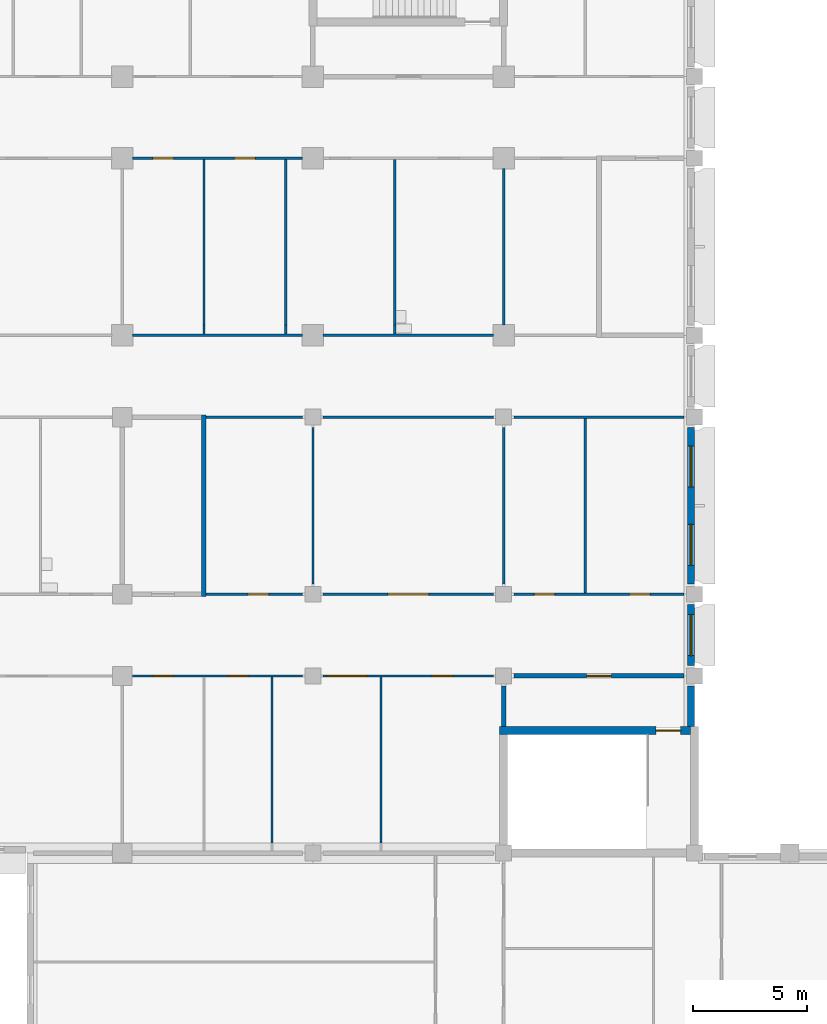
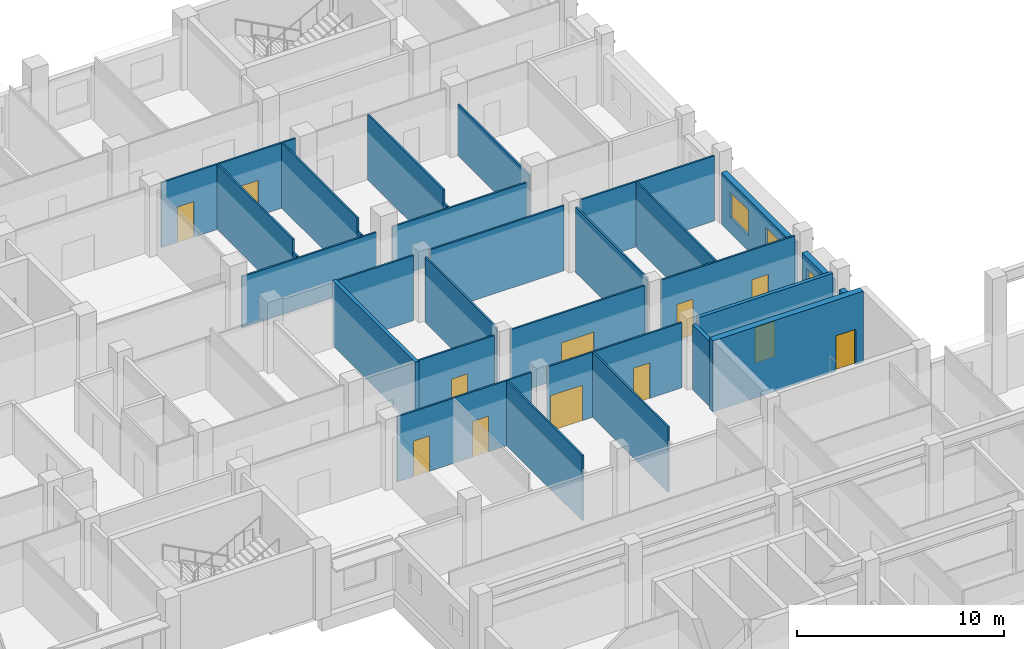
# One storey, part 71 of 109: 30 walls, 12 doors, 3 windows, 15 openings.
"""IFC4 building model written with IfcOpenShell, lengths in metres."""

from ifc_helpers import new_model, si_unit, direction, frame, frame_2d, origin, place, context, subcontext, project, spatial, rectangle, extrude, material, layer, layer_set, type_object, element, fill, save


model = new_model("IFC4")

# Units and contexts
model_context = context("Model", 3, precision=1e-05, world=origin(), true_north=direction((0.0, 1.0)))
body_context = subcontext(model_context, "Body", "Model", "MODEL_VIEW")
ifc_project = project(units=[si_unit("LENGTHUNIT", "METRE"), si_unit("AREAUNIT", "SQUARE_METRE"), si_unit("VOLUMEUNIT", "CUBIC_METRE"), si_unit("PLANEANGLEUNIT", "RADIAN"), si_unit("MASSUNIT", "GRAM", prefix="KILO")], contexts=[model_context])

# Site, building, storey
site_placement = place(None, origin())
site = spatial("IfcSite", under=ifc_project, at=site_placement, CompositionType="ELEMENT")
building_placement = place(site_placement, origin())
building = spatial("IfcBuilding", under=site, at=building_placement, Name="Bougainvillea Quay General Hospital", CompositionType="ELEMENT")
storey_placement = place(building_placement, frame((0.0, 0.0, 12.60009765625)))
storey = spatial("IfcBuildingStorey", under=building, at=storey_placement, Name="L02", CompositionType="ELEMENT", Elevation=12.60009765625)

# Wall, opening, window
ifc_material_1 = material(Name="Pale stone rainscreen cladding on insulated masonry backing, pale stone", Category="masonry")
ifc_layer_1 = layer(ifc_material_1, 0.300048828125)
ifc_layer_set_1 = layer_set([ifc_layer_1], Name="Pale stone rainscreen cladding on insulated masonry backing, pale stone")
wall_type_1 = type_object("IfcWallType", Name="External wall pale stone rainscreen 300", PredefinedType="STANDARD", material=ifc_layer_set_1)
wall_1_placement = place(storey_placement, frame((193.050048828125, 125.85009765625, 0.0), z_axis=(0.0, 0.0, 1.0), x_axis=(0.0, 1.0, 0.0)))
wall_1 = element("IfcWall", 1, at=wall_1_placement, inside=storey, type_object=wall_type_1, Name="External wall wall/V4/L02/p0/00b", PredefinedType="STANDARD", context=body_context, shape_type="SweptSolid", body=[
    extrude(rectangle(XDim=2.699951171875, YDim=0.300048828125, at=frame_2d((1.35009765625, 0.0))), origin(), (0.0, 0.0, 1.0), 3.0498046875),
])
opening_1_placement = place(wall_1_placement, frame((0.449951171875, 0.0, 0.89990234375)))
opening_1 = element("IfcOpeningElement", 2, at=opening_1_placement, cuts=wall_1, Name="Opening W1", PredefinedType="OPENING", context=body_context, shape_type="SweptSolid", body=[
    extrude(rectangle(XDim=1.800048828125, YDim=1.5, at=frame_2d((0.89990234375, 0.75))), frame((0.0, 0.159912109375, 0.0), z_axis=(0.0, -1.0, 0.0), x_axis=(1.0, 0.0, 0.0)), (0.0, 0.0, 1.0), 0.320068359375),
])
ifc_material_2 = material(Name="Aluminium window frame with low-e double glazed unit", Category="aluminium")
window_type = type_object("IfcWindowType", Name="Window W1 1800x1500", PartitioningType="DOUBLE_PANEL_VERTICAL", PredefinedType="WINDOW", material=ifc_material_2)
window_1_placement = place(opening_1_placement, origin())
window_1 = element("IfcWindow", 3, at=window_1_placement, inside=storey, type_object=window_type, Name="Window W1 1", OverallHeight=1.5, OverallWidth=1.800048828125, PartitioningType="SINGLE_PANEL", PredefinedType="WINDOW", context=body_context, shape_type="SweptSolid", body=[
    extrude(rectangle(XDim=1.800048828125, YDim=1.5, at=frame_2d((0.89990234375, 0.75))), frame((0.0, 0.030029296875, 0.0), z_axis=(0.0, -1.0, 0.0), x_axis=(1.0, 0.0, 0.0)), (0.0, 0.0, 1.0), 0.06005859375),
])
fill(opening_1, window_1)

# Wall, openings, windows
wall_2_placement = place(storey_placement, frame((193.050048828125, 129.449951171875, 0.0), z_axis=(0.0, 0.0, 1.0), x_axis=(0.0, 1.0, 0.0)))
wall_2 = element("IfcWall", 4, at=wall_2_placement, inside=storey, type_object=wall_type_1, Name="External wall wall/V4/L02/p0/00c", PredefinedType="STANDARD", context=body_context, shape_type="SweptSolid", body=[
    extrude(rectangle(XDim=6.900146484375, YDim=0.300048828125, at=frame_2d((3.4501953125, 0.0))), origin(), (0.0, 0.0, 1.0), 3.0498046875),
])
opening_2_placement = place(wall_2_placement, frame((0.824951171875, 0.0, 0.89990234375)))
opening_2 = element("IfcOpeningElement", 5, at=opening_2_placement, cuts=wall_2, Name="Opening W1", PredefinedType="OPENING", context=body_context, shape_type="SweptSolid", body=[
    extrude(rectangle(XDim=1.800048828125, YDim=1.5, at=frame_2d((0.89990234375, 0.75))), frame((0.0, 0.159912109375, 0.0), z_axis=(0.0, -1.0, 0.0), x_axis=(1.0, 0.0, 0.0)), (0.0, 0.0, 1.0), 0.320068359375),
])
opening_3_placement = place(wall_2_placement, frame((4.27490234375, 0.0, 0.89990234375)))
opening_3 = element("IfcOpeningElement", 6, at=opening_3_placement, cuts=wall_2, Name="Opening W1", PredefinedType="OPENING", context=body_context, shape_type="SweptSolid", body=[
    extrude(rectangle(XDim=1.800048828125, YDim=1.5, at=frame_2d((0.89990234375, 0.75))), frame((0.0, 0.159912109375, 0.0), z_axis=(0.0, -1.0, 0.0), x_axis=(1.0, 0.0, 0.0)), (0.0, 0.0, 1.0), 0.320068359375),
])
window_2_placement = place(opening_2_placement, origin())
window_2 = element("IfcWindow", 7, at=window_2_placement, inside=storey, type_object=window_type, Name="Window W1 1", OverallHeight=1.5, OverallWidth=1.800048828125, PartitioningType="SINGLE_PANEL", PredefinedType="WINDOW", context=body_context, shape_type="SweptSolid", body=[
    extrude(rectangle(XDim=1.800048828125, YDim=1.5, at=frame_2d((0.89990234375, 0.75))), frame((0.0, 0.030029296875, 0.0), z_axis=(0.0, -1.0, 0.0), x_axis=(1.0, 0.0, 0.0)), (0.0, 0.0, 1.0), 0.06005859375),
])
fill(opening_2, window_2)
window_3_placement = place(opening_3_placement, origin())
window_3 = element("IfcWindow", 8, at=window_3_placement, inside=storey, type_object=window_type, Name="Window W1 2", OverallHeight=1.5, OverallWidth=1.800048828125, PartitioningType="SINGLE_PANEL", PredefinedType="WINDOW", context=body_context, shape_type="SweptSolid", body=[
    extrude(rectangle(XDim=1.800048828125, YDim=1.5, at=frame_2d((0.89990234375, 0.75))), frame((0.0, 0.030029296875, 0.0), z_axis=(0.0, -1.0, 0.0), x_axis=(1.0, 0.0, 0.0)), (0.0, 0.0, 1.0), 0.06005859375),
])
fill(opening_3, window_3)

# Walls
ifc_material_3 = material(Name="Terracotta rainscreen cladding on insulated masonry backing, terracotta", Category="masonry")
ifc_layer_2 = layer(ifc_material_3, 0.300048828125)
ifc_layer_set_2 = layer_set([ifc_layer_2], Name="Terracotta rainscreen cladding on insulated masonry backing, terracotta")
wall_type_2 = type_object("IfcWallType", Name="External wall terracotta rainscreen 300", PredefinedType="STANDARD", material=ifc_layer_set_2)
wall_3_placement = place(storey_placement, frame((193.050048828125, 123.175048828125, 0.0), z_axis=(0.0, 0.0, 1.0), x_axis=(0.0, 1.0, 0.0)))
element("IfcWall", 9, at=wall_3_placement, inside=storey, type_object=wall_type_2, Name="External wall wall/V4/L02/p0/00a", PredefinedType="STANDARD", context=body_context, shape_type="SweptSolid", body=[
    extrude(rectangle(XDim=1.77490234375, YDim=0.300048828125, at=frame_2d((0.887451171875, 0.0))), origin(), (0.0, 0.0, 1.0), 3.0498046875),
])
ifc_material_4 = material(Name="Gypsum board partition on steel studs", Category="steel")
ifc_layer_3 = layer(ifc_material_4, 0.10009765625)
ifc_layer_set_3 = layer_set([ifc_layer_3], Name="Gypsum board partition on steel studs")
wall_type_3 = type_object("IfcWallType", Name="Partition 100 Gypsum board partition", PredefinedType="PARTITIONING", material=ifc_layer_set_3)
for number, where, z_axis, x_axis, name in (
    (10, (184.35009765625, 140.39990234375, 0.0), (0.0, 0.0, 1.0), (-1.0, 0.0, 0.0), "Partition 100 mm"),
    (11, (175.949951171875, 140.39990234375, 0.0), (0.0, 0.0, 1.0), (-1.0, 0.0, 0.0), "Partition 100 mm"),
):
    element("IfcWall", number, at=place(storey_placement, frame(where, z_axis=z_axis, x_axis=x_axis)), inside=storey, type_object=wall_type_3, Name=name, PredefinedType="PARTITIONING", context=body_context, shape_type="SweptSolid", body=[
        extrude(rectangle(XDim=7.5, YDim=0.10009765625, at=frame_2d((3.75, 0.0))), origin(), (0.0, 0.0, 1.0), 3.02978515625),
    ])

# Wall, openings, doors
wall_4_placement = place(storey_placement, frame((175.949951171875, 148.199951171875, 0.0), z_axis=(0.0, 0.0, 1.0), x_axis=(-1.0, 0.0, 0.0)))
wall_4 = element("IfcWall", 12, at=wall_4_placement, inside=storey, type_object=wall_type_3, Name="Partition 100 mm", PredefinedType="PARTITIONING", context=body_context, shape_type="SweptSolid", body=[
    extrude(rectangle(XDim=7.5, YDim=0.10009765625, at=frame_2d((3.75, 0.0))), origin(), (0.0, 0.0, 1.0), 3.849853515625),
])
opening_4_placement = place(wall_4_placement, frame((5.699951171875, 0.0, 0.0)))
opening_4 = element("IfcOpeningElement", 13, at=opening_4_placement, cuts=wall_4, Name="Opening L02.161", PredefinedType="OPENING", context=body_context, shape_type="SweptSolid", body=[
    extrude(rectangle(XDim=0.89990234375, YDim=2.10009765625, at=frame_2d((0.449951171875, 1.050048828125))), frame((0.0, 0.06005859375, 0.0), z_axis=(0.0, -1.0, 0.0), x_axis=(1.0, 0.0, 0.0)), (0.0, 0.0, 1.0), 0.1201171875),
])
opening_5_placement = place(wall_4_placement, frame((2.10009765625, 0.0, 0.0)))
opening_5 = element("IfcOpeningElement", 14, at=opening_5_placement, cuts=wall_4, Name="Opening L02.162", PredefinedType="OPENING", context=body_context, shape_type="SweptSolid", body=[
    extrude(rectangle(XDim=0.89990234375, YDim=2.10009765625, at=frame_2d((0.449951171875, 1.050048828125))), frame((0.0, 0.06005859375, 0.0), z_axis=(0.0, -1.0, 0.0), x_axis=(1.0, 0.0, 0.0)), (0.0, 0.0, 1.0), 0.1201171875),
])
ifc_material_5 = material(Name="Solid-core timber door leaf in steel frame", Category="steel")
door_type_1 = type_object("IfcDoorType", Name="Single leaf door 900x2100", OperationType="NOTDEFINED", PredefinedType="DOOR", material=ifc_material_5)
door_1_placement = place(opening_4_placement, origin())
door_1 = element("IfcDoor", 15, at=door_1_placement, inside=storey, type_object=door_type_1, Name="DT07 L02.161", OperationType="SINGLE_SWING_RIGHT", OverallHeight=2.10009765625, OverallWidth=0.89990234375, PredefinedType="DOOR", context=body_context, shape_type="SweptSolid", body=[
    extrude(rectangle(XDim=0.89990234375, YDim=2.10009765625, at=frame_2d((0.449951171875, 1.050048828125))), frame((0.0, 0.02490234375, 0.0), z_axis=(0.0, -1.0, 0.0), x_axis=(1.0, 0.0, 0.0)), (0.0, 0.0, 1.0), 0.050048828125),
])
fill(opening_4, door_1)
door_2_placement = place(opening_5_placement, origin())
door_2 = element("IfcDoor", 16, at=door_2_placement, inside=storey, type_object=door_type_1, Name="DT07 L02.162", OperationType="SINGLE_SWING_LEFT", OverallHeight=2.10009765625, OverallWidth=0.89990234375, PredefinedType="DOOR", context=body_context, shape_type="SweptSolid", body=[
    extrude(rectangle(XDim=0.89990234375, YDim=2.10009765625, at=frame_2d((0.449951171875, 1.050048828125))), frame((0.0, 0.02490234375, 0.0), z_axis=(0.0, -1.0, 0.0), x_axis=(1.0, 0.0, 0.0)), (0.0, 0.0, 1.0), 0.050048828125),
])
fill(opening_5, door_2)

wall_5_placement = place(storey_placement, frame((184.35009765625, 125.39990234375, 0.0), z_axis=(0.0, 0.0, 1.0), x_axis=(-1.0, 0.0, 0.0)))
wall_5 = element("IfcWall", 17, at=wall_5_placement, inside=storey, type_object=wall_type_3, Name="Partition 100 mm", PredefinedType="PARTITIONING", context=body_context, shape_type="SweptSolid", body=[
    extrude(rectangle(XDim=7.5, YDim=0.10009765625, at=frame_2d((3.75, 0.0))), origin(), (0.0, 0.0, 1.0), 3.849853515625),
])
opening_6_placement = place(wall_5_placement, frame((5.550048828125, 0.0, 0.0)))
opening_6 = element("IfcOpeningElement", 18, at=opening_6_placement, cuts=wall_5, Name="Opening L02.123", PredefinedType="OPENING", context=body_context, shape_type="SweptSolid", body=[
    extrude(rectangle(XDim=1.800048828125, YDim=2.10009765625, at=frame_2d((0.89990234375, 1.050048828125))), frame((0.0, 0.06005859375, 0.0), z_axis=(0.0, -1.0, 0.0), x_axis=(1.0, 0.0, 0.0)), (0.0, 0.0, 1.0), 0.1201171875),
])
opening_7_placement = place(wall_5_placement, frame((1.800048828125, 0.0, 0.0)))
opening_7 = element("IfcOpeningElement", 19, at=opening_7_placement, cuts=wall_5, Name="Opening L02.124", PredefinedType="OPENING", context=body_context, shape_type="SweptSolid", body=[
    extrude(rectangle(XDim=0.89990234375, YDim=2.10009765625, at=frame_2d((0.449951171875, 1.050048828125))), frame((0.0, 0.06005859375, 0.0), z_axis=(0.0, -1.0, 0.0), x_axis=(1.0, 0.0, 0.0)), (0.0, 0.0, 1.0), 0.1201171875),
])
ifc_material_6 = material(Name="Solid-core timber door leaves in steel frame", Category="steel")
door_type_2 = type_object("IfcDoorType", Name="Double leaf door 1800x2100", OperationType="DOUBLE_DOOR_SINGLE_SWING", PredefinedType="DOOR", material=ifc_material_6)
door_3_placement = place(opening_6_placement, origin())
door_3 = element("IfcDoor", 20, at=door_3_placement, inside=storey, type_object=door_type_2, Name="DT08 L02.123", OperationType="DOUBLE_DOOR_SINGLE_SWING", OverallHeight=2.10009765625, OverallWidth=1.800048828125, PredefinedType="DOOR", context=body_context, shape_type="SweptSolid", body=[
    extrude(rectangle(XDim=1.800048828125, YDim=2.10009765625, at=frame_2d((0.89990234375, 1.050048828125))), frame((0.0, 0.02490234375, 0.0), z_axis=(0.0, -1.0, 0.0), x_axis=(1.0, 0.0, 0.0)), (0.0, 0.0, 1.0), 0.050048828125),
])
fill(opening_6, door_3)
door_4_placement = place(opening_7_placement, origin())
door_4 = element("IfcDoor", 21, at=door_4_placement, inside=storey, type_object=door_type_1, Name="DT07 L02.124", OperationType="SINGLE_SWING_LEFT", OverallHeight=2.10009765625, OverallWidth=0.89990234375, PredefinedType="DOOR", context=body_context, shape_type="SweptSolid", body=[
    extrude(rectangle(XDim=0.89990234375, YDim=2.10009765625, at=frame_2d((0.449951171875, 1.050048828125))), frame((0.0, 0.02490234375, 0.0), z_axis=(0.0, -1.0, 0.0), x_axis=(1.0, 0.0, 0.0)), (0.0, 0.0, 1.0), 0.050048828125),
])
fill(opening_7, door_4)

wall_6_placement = place(storey_placement, frame((175.949951171875, 125.39990234375, 0.0), z_axis=(0.0, 0.0, 1.0), x_axis=(-1.0, 0.0, 0.0)))
wall_6 = element("IfcWall", 22, at=wall_6_placement, inside=storey, type_object=wall_type_3, Name="Partition 100 mm", PredefinedType="PARTITIONING", context=body_context, shape_type="SweptSolid", body=[
    extrude(rectangle(XDim=7.5, YDim=0.10009765625, at=frame_2d((3.75, 0.0))), origin(), (0.0, 0.0, 1.0), 3.849853515625),
])
opening_8_placement = place(wall_6_placement, frame((5.699951171875, 0.0, 0.0)))
opening_8 = element("IfcOpeningElement", 23, at=opening_8_placement, cuts=wall_6, Name="Opening L02.121", PredefinedType="OPENING", context=body_context, shape_type="SweptSolid", body=[
    extrude(rectangle(XDim=0.89990234375, YDim=2.10009765625, at=frame_2d((0.449951171875, 1.050048828125))), frame((0.0, 0.06005859375, 0.0), z_axis=(0.0, -1.0, 0.0), x_axis=(1.0, 0.0, 0.0)), (0.0, 0.0, 1.0), 0.1201171875),
])
opening_9_placement = place(wall_6_placement, frame((2.39990234375, 0.0, 0.0)))
opening_9 = element("IfcOpeningElement", 24, at=opening_9_placement, cuts=wall_6, Name="Opening L02.122", PredefinedType="OPENING", context=body_context, shape_type="SweptSolid", body=[
    extrude(rectangle(XDim=0.89990234375, YDim=2.10009765625, at=frame_2d((0.449951171875, 1.050048828125))), frame((0.0, 0.06005859375, 0.0), z_axis=(0.0, -1.0, 0.0), x_axis=(1.0, 0.0, 0.0)), (0.0, 0.0, 1.0), 0.1201171875),
])
door_5_placement = place(opening_8_placement, origin())
door_5 = element("IfcDoor", 25, at=door_5_placement, inside=storey, type_object=door_type_1, Name="DT07 L02.121", OperationType="SINGLE_SWING_RIGHT", OverallHeight=2.10009765625, OverallWidth=0.89990234375, PredefinedType="DOOR", context=body_context, shape_type="SweptSolid", body=[
    extrude(rectangle(XDim=0.89990234375, YDim=2.10009765625, at=frame_2d((0.449951171875, 1.050048828125))), frame((0.0, 0.02490234375, 0.0), z_axis=(0.0, -1.0, 0.0), x_axis=(1.0, 0.0, 0.0)), (0.0, 0.0, 1.0), 0.050048828125),
])
fill(opening_8, door_5)
door_6_placement = place(opening_9_placement, origin())
door_6 = element("IfcDoor", 26, at=door_6_placement, inside=storey, type_object=door_type_1, Name="DT07 L02.122", OperationType="SINGLE_SWING_LEFT", OverallHeight=2.10009765625, OverallWidth=0.89990234375, PredefinedType="DOOR", context=body_context, shape_type="SweptSolid", body=[
    extrude(rectangle(XDim=0.89990234375, YDim=2.10009765625, at=frame_2d((0.449951171875, 1.050048828125))), frame((0.0, 0.02490234375, 0.0), z_axis=(0.0, -1.0, 0.0), x_axis=(1.0, 0.0, 0.0)), (0.0, 0.0, 1.0), 0.050048828125),
])
fill(opening_9, door_6)

wall_7_placement = place(storey_placement, frame((192.75, 129.0, 0.0), z_axis=(0.0, 0.0, 1.0), x_axis=(-1.0, 0.0, 0.0)))
wall_7 = element("IfcWall", 27, at=wall_7_placement, inside=storey, type_object=wall_type_3, Name="Partition 100 mm", PredefinedType="PARTITIONING", context=body_context, shape_type="SweptSolid", body=[
    extrude(rectangle(XDim=7.5, YDim=0.10009765625, at=frame_2d((3.75, 0.0))), origin(), (0.0, 0.0, 1.0), 3.849853515625),
])
opening_10_placement = place(wall_7_placement, frame((5.699951171875, 0.0, 0.0)))
opening_10 = element("IfcOpeningElement", 28, at=opening_10_placement, cuts=wall_7, Name="Opening L02.130", PredefinedType="OPENING", context=body_context, shape_type="SweptSolid", body=[
    extrude(rectangle(XDim=0.89990234375, YDim=2.10009765625, at=frame_2d((0.449951171875, 1.050048828125))), frame((0.0, 0.06005859375, 0.0), z_axis=(0.0, -1.0, 0.0), x_axis=(1.0, 0.0, 0.0)), (0.0, 0.0, 1.0), 0.1201171875),
])
opening_11_placement = place(wall_7_placement, frame((1.5, 0.0, 0.0)))
opening_11 = element("IfcOpeningElement", 29, at=opening_11_placement, cuts=wall_7, Name="Opening L02.131", PredefinedType="OPENING", context=body_context, shape_type="SweptSolid", body=[
    extrude(rectangle(XDim=0.89990234375, YDim=2.10009765625, at=frame_2d((0.449951171875, 1.050048828125))), frame((0.0, 0.06005859375, 0.0), z_axis=(0.0, -1.0, 0.0), x_axis=(1.0, 0.0, 0.0)), (0.0, 0.0, 1.0), 0.1201171875),
])
door_7_placement = place(opening_10_placement, frame((0.89990234375, 0.0, 0.0), z_axis=(0.0, 0.0, 1.0), x_axis=(-1.0, 0.0, 0.0)))
door_7 = element("IfcDoor", 30, at=door_7_placement, inside=storey, type_object=door_type_1, Name="DT07 L02.130", OperationType="SINGLE_SWING_LEFT", OverallHeight=2.10009765625, OverallWidth=0.89990234375, PredefinedType="DOOR", context=body_context, shape_type="SweptSolid", body=[
    extrude(rectangle(XDim=0.89990234375, YDim=2.10009765625, at=frame_2d((0.449951171875, 1.050048828125))), frame((0.0, 0.02490234375, 0.0), z_axis=(0.0, -1.0, 0.0), x_axis=(1.0, 0.0, 0.0)), (0.0, 0.0, 1.0), 0.050048828125),
])
fill(opening_10, door_7)
door_8_placement = place(opening_11_placement, frame((0.89990234375, 0.0, 0.0), z_axis=(0.0, 0.0, 1.0), x_axis=(-1.0, 0.0, 0.0)))
door_8 = element("IfcDoor", 31, at=door_8_placement, inside=storey, type_object=door_type_1, Name="DT07 L02.131", OperationType="SINGLE_SWING_RIGHT", OverallHeight=2.10009765625, OverallWidth=0.89990234375, PredefinedType="DOOR", context=body_context, shape_type="SweptSolid", body=[
    extrude(rectangle(XDim=0.89990234375, YDim=2.10009765625, at=frame_2d((0.449951171875, 1.050048828125))), frame((0.0, 0.02490234375, 0.0), z_axis=(0.0, -1.0, 0.0), x_axis=(1.0, 0.0, 0.0)), (0.0, 0.0, 1.0), 0.050048828125),
])
fill(opening_11, door_8)

# Wall, opening, door
wall_8_placement = place(storey_placement, frame((184.35009765625, 129.0, 0.0), z_axis=(0.0, 0.0, 1.0), x_axis=(-1.0, 0.0, 0.0)))
wall_8 = element("IfcWall", 32, at=wall_8_placement, inside=storey, type_object=wall_type_3, Name="Partition 100 mm", PredefinedType="PARTITIONING", context=body_context, shape_type="SweptSolid", body=[
    extrude(rectangle(XDim=7.5, YDim=0.10009765625, at=frame_2d((3.75, 0.0))), origin(), (0.0, 0.0, 1.0), 3.849853515625),
])
opening_12_placement = place(wall_8_placement, frame((2.85009765625, 0.0, 0.0)))
opening_12 = element("IfcOpeningElement", 33, at=opening_12_placement, cuts=wall_8, Name="Opening L02.129", PredefinedType="OPENING", context=body_context, shape_type="SweptSolid", body=[
    extrude(rectangle(XDim=1.800048828125, YDim=2.10009765625, at=frame_2d((0.89990234375, 1.050048828125))), frame((0.0, 0.06005859375, 0.0), z_axis=(0.0, -1.0, 0.0), x_axis=(1.0, 0.0, 0.0)), (0.0, 0.0, 1.0), 0.1201171875),
])
door_9_placement = place(opening_12_placement, frame((1.800048828125, 0.0, 0.0), z_axis=(0.0, 0.0, 1.0), x_axis=(-1.0, 0.0, 0.0)))
door_9 = element("IfcDoor", 34, at=door_9_placement, inside=storey, type_object=door_type_2, Name="DT08 L02.129", OperationType="DOUBLE_DOOR_SINGLE_SWING", OverallHeight=2.10009765625, OverallWidth=1.800048828125, PredefinedType="DOOR", context=body_context, shape_type="SweptSolid", body=[
    extrude(rectangle(XDim=1.800048828125, YDim=2.10009765625, at=frame_2d((0.89990234375, 1.050048828125))), frame((0.0, 0.02490234375, 0.0), z_axis=(0.0, -1.0, 0.0), x_axis=(1.0, 0.0, 0.0)), (0.0, 0.0, 1.0), 0.050048828125),
])
fill(opening_12, door_9)

wall_9_placement = place(storey_placement, frame((175.949951171875, 129.0, 0.0), z_axis=(0.0, 0.0, 1.0), x_axis=(-1.0, 0.0, 0.0)))
wall_9 = element("IfcWall", 35, at=wall_9_placement, inside=storey, type_object=wall_type_3, Name="Partition 100 mm", PredefinedType="PARTITIONING", context=body_context, shape_type="SweptSolid", body=[
    extrude(rectangle(XDim=4.25, YDim=0.10009765625, at=frame_2d((2.125, 0.0))), origin(), (0.0, 0.0, 1.0), 3.849853515625),
])
opening_13_placement = place(wall_9_placement, frame((1.5, 0.0, 0.0)))
opening_13 = element("IfcOpeningElement", 36, at=opening_13_placement, cuts=wall_9, Name="Opening L02.128", PredefinedType="OPENING", context=body_context, shape_type="SweptSolid", body=[
    extrude(rectangle(XDim=0.89990234375, YDim=2.10009765625, at=frame_2d((0.449951171875, 1.050048828125))), frame((0.0, 0.06005859375, 0.0), z_axis=(0.0, -1.0, 0.0), x_axis=(1.0, 0.0, 0.0)), (0.0, 0.0, 1.0), 0.1201171875),
])
door_10_placement = place(opening_13_placement, frame((0.89990234375, 0.0, 0.0), z_axis=(0.0, 0.0, 1.0), x_axis=(-1.0, 0.0, 0.0)))
door_10 = element("IfcDoor", 37, at=door_10_placement, inside=storey, type_object=door_type_1, Name="DT07 L02.128", OperationType="SINGLE_SWING_RIGHT", OverallHeight=2.10009765625, OverallWidth=0.89990234375, PredefinedType="DOOR", context=body_context, shape_type="SweptSolid", body=[
    extrude(rectangle(XDim=0.89990234375, YDim=2.10009765625, at=frame_2d((0.449951171875, 1.050048828125))), frame((0.0, 0.02490234375, 0.0), z_axis=(0.0, -1.0, 0.0), x_axis=(1.0, 0.0, 0.0)), (0.0, 0.0, 1.0), 0.050048828125),
])
fill(opening_13, door_10)

# Walls
for number, where, z_axis, x_axis, name in (
    (38, (192.75, 136.800048828125, 0.0), (0.0, 0.0, 1.0), (-1.0, 0.0, 0.0), "Partition 100 mm"),
    (39, (184.35009765625, 136.800048828125, 0.0), (0.0, 0.0, 1.0), (-1.0, 0.0, 0.0), "Partition 100 mm"),
):
    element("IfcWall", number, at=place(storey_placement, frame(where, z_axis=z_axis, x_axis=x_axis)), inside=storey, type_object=wall_type_3, Name=name, PredefinedType="PARTITIONING", context=body_context, shape_type="SweptSolid", body=[
        extrude(rectangle(XDim=7.5, YDim=0.10009765625, at=frame_2d((3.75, 0.0))), origin(), (0.0, 0.0, 1.0), 3.849853515625),
    ])
wall_10_placement = place(storey_placement, frame((175.949951171875, 136.800048828125, 0.0), z_axis=(0.0, 0.0, 1.0), x_axis=(-1.0, 0.0, 0.0)))
element("IfcWall", 40, at=wall_10_placement, inside=storey, type_object=wall_type_3, Name="Partition 100 mm", PredefinedType="PARTITIONING", context=body_context, shape_type="SweptSolid", body=[
    extrude(rectangle(XDim=4.25, YDim=0.10009765625, at=frame_2d((2.125, 0.0))), origin(), (0.0, 0.0, 1.0), 3.849853515625),
])
wall_11_placement = place(storey_placement, frame((174.60009765625, 118.050048828125, 0.0), z_axis=(0.0, 0.0, 1.0), x_axis=(0.0, 1.0, 0.0)))
element("IfcWall", 41, at=wall_11_placement, inside=storey, type_object=wall_type_3, Name="Partition 100 mm", PredefinedType="PARTITIONING", context=body_context, shape_type="SweptSolid", body=[
    extrude(rectangle(XDim=7.300048828125, YDim=0.10009765625, at=frame_2d((3.64990234375, 0.0))), origin(), (0.0, 0.0, 1.0), 3.849853515625),
])
wall_12_placement = place(storey_placement, frame((176.39990234375, 129.449951171875, 0.0), z_axis=(0.0, 0.0, 1.0), x_axis=(0.0, 1.0, 0.0)))
element("IfcWall", 42, at=wall_12_placement, inside=storey, type_object=wall_type_3, Name="Partition 100 mm", PredefinedType="PARTITIONING", context=body_context, shape_type="SweptSolid", body=[
    extrude(rectangle(XDim=6.900146484375, YDim=0.10009765625, at=frame_2d((3.4501953125, 0.0))), origin(), (0.0, 0.0, 1.0), 3.849853515625),
])
wall_13_placement = place(storey_placement, frame((179.39990234375, 118.050048828125, 0.0), z_axis=(0.0, 0.0, 1.0), x_axis=(0.0, 1.0, 0.0)))
element("IfcWall", 43, at=wall_13_placement, inside=storey, type_object=wall_type_3, Name="Partition 100 mm", PredefinedType="PARTITIONING", context=body_context, shape_type="SweptSolid", body=[
    extrude(rectangle(XDim=7.300048828125, YDim=0.10009765625, at=frame_2d((3.64990234375, 0.0))), origin(), (0.0, 0.0, 1.0), 3.849853515625),
])
wall_14_placement = place(storey_placement, frame((184.800048828125, 129.449951171875, 0.0), z_axis=(0.0, 0.0, 1.0), x_axis=(0.0, 1.0, 0.0)))
element("IfcWall", 44, at=wall_14_placement, inside=storey, type_object=wall_type_3, Name="Partition 100 mm", PredefinedType="PARTITIONING", context=body_context, shape_type="SweptSolid", body=[
    extrude(rectangle(XDim=6.900146484375, YDim=0.10009765625, at=frame_2d((3.4501953125, 0.0))), origin(), (0.0, 0.0, 1.0), 3.849853515625),
])
wall_15_placement = place(storey_placement, frame((188.39990234375, 129.050048828125, 0.0), z_axis=(0.0, 0.0, 1.0), x_axis=(0.0, 1.0, 0.0)))
element("IfcWall", 45, at=wall_15_placement, inside=storey, type_object=wall_type_3, Name="Partition 100 mm", PredefinedType="PARTITIONING", context=body_context, shape_type="SweptSolid", body=[
    extrude(rectangle(XDim=7.699951171875, YDim=0.10009765625, at=frame_2d((3.85009765625, 0.0))), origin(), (0.0, 0.0, 1.0), 3.849853515625),
])
wall_16_placement = place(storey_placement, frame((171.60009765625, 140.449951171875, 0.0), z_axis=(0.0, 0.0, 1.0), x_axis=(0.0, 1.0, 0.0)))
element("IfcWall", 46, at=wall_16_placement, inside=storey, type_object=wall_type_3, Name="Partition 100 mm", PredefinedType="PARTITIONING", context=body_context, shape_type="SweptSolid", body=[
    extrude(rectangle(XDim=0.400146484375, YDim=0.10009765625, at=frame_2d((0.2001953125, 0.0))), origin(), (0.0, 0.0, 1.0), 3.079833984375),
])
wall_17_placement = place(storey_placement, frame((171.60009765625, 140.85009765625, 0.0), z_axis=(0.0, 0.0, 1.0), x_axis=(0.0, 1.0, 0.0)))
element("IfcWall", 47, at=wall_17_placement, inside=storey, type_object=wall_type_3, Name="Partition 100 mm", PredefinedType="PARTITIONING", context=body_context, shape_type="SweptSolid", body=[
    extrude(rectangle(XDim=7.2998046875, YDim=0.10009765625, at=frame_2d((3.64990234375, 0.0))), origin(), (0.0, 0.0, 1.0), 3.849853515625),
])
wall_18_placement = place(storey_placement, frame((175.199951171875, 140.449951171875, 0.0), z_axis=(0.0, 0.0, 1.0), x_axis=(0.0, 1.0, 0.0)))
element("IfcWall", 48, at=wall_18_placement, inside=storey, type_object=wall_type_3, Name="Partition 100 mm", PredefinedType="PARTITIONING", context=body_context, shape_type="SweptSolid", body=[
    extrude(rectangle(XDim=0.400146484375, YDim=0.10009765625, at=frame_2d((0.2001953125, 0.0))), origin(), (0.0, 0.0, 1.0), 3.079833984375),
])
wall_19_placement = place(storey_placement, frame((175.199951171875, 140.85009765625, 0.0), z_axis=(0.0, 0.0, 1.0), x_axis=(0.0, 1.0, 0.0)))
element("IfcWall", 49, at=wall_19_placement, inside=storey, type_object=wall_type_3, Name="Partition 100 mm", PredefinedType="PARTITIONING", context=body_context, shape_type="SweptSolid", body=[
    extrude(rectangle(XDim=7.2998046875, YDim=0.10009765625, at=frame_2d((3.64990234375, 0.0))), origin(), (0.0, 0.0, 1.0), 3.849853515625),
])
wall_20_placement = place(storey_placement, frame((180.0, 140.449951171875, 0.0), z_axis=(0.0, 0.0, 1.0), x_axis=(0.0, 1.0, 0.0)))
element("IfcWall", 50, at=wall_20_placement, inside=storey, type_object=wall_type_3, Name="Partition 100 mm", PredefinedType="PARTITIONING", context=body_context, shape_type="SweptSolid", body=[
    extrude(rectangle(XDim=0.400146484375, YDim=0.10009765625, at=frame_2d((0.2001953125, 0.0))), origin(), (0.0, 0.0, 1.0), 3.079833984375),
])
wall_21_placement = place(storey_placement, frame((180.0, 140.85009765625, 0.0), z_axis=(0.0, 0.0, 1.0), x_axis=(0.0, 1.0, 0.0)))
element("IfcWall", 51, at=wall_21_placement, inside=storey, type_object=wall_type_3, Name="Partition 100 mm", PredefinedType="PARTITIONING", context=body_context, shape_type="SweptSolid", body=[
    extrude(rectangle(XDim=7.2998046875, YDim=0.10009765625, at=frame_2d((3.64990234375, 0.0))), origin(), (0.0, 0.0, 1.0), 3.849853515625),
])
wall_22_placement = place(storey_placement, frame((184.800048828125, 140.85009765625, 0.0), z_axis=(0.0, 0.0, 1.0), x_axis=(0.0, 1.0, 0.0)))
element("IfcWall", 52, at=wall_22_placement, inside=storey, type_object=wall_type_3, Name="Partition 100 mm", PredefinedType="PARTITIONING", context=body_context, shape_type="SweptSolid", body=[
    extrude(rectangle(XDim=6.89990234375, YDim=0.10009765625, at=frame_2d((3.449951171875, 0.0))), origin(), (0.0, 0.0, 1.0), 3.02978515625),
])

# Wall, opening, door
ifc_material_7 = material(Name="Fire-rated autoclaved aerated block wall, plastered")
ifc_layer_4 = layer(ifc_material_7, 0.199951171875)
ifc_layer_set_4 = layer_set([ifc_layer_4], Name="Fire-rated autoclaved aerated block wall, plastered")
wall_type_4 = type_object("IfcWallType", Name="Partition 200 Fire-rated autoclaved aerated block wall EI 120", PredefinedType="SOLIDWALL", material=ifc_layer_set_4)
wall_23_placement = place(storey_placement, frame((185.25, 125.39990234375, 0.0), z_axis=(0.0, 0.0, 1.0), x_axis=(1.0, 0.0, 0.0)))
wall_23 = element("IfcWall", 53, at=wall_23_placement, inside=storey, type_object=wall_type_4, Name="Partition 200 mm EI 120", PredefinedType="SOLIDWALL", context=body_context, shape_type="SweptSolid", body=[
    extrude(rectangle(XDim=7.5, YDim=0.199951171875, at=frame_2d((3.75, 0.0))), origin(), (0.0, 0.0, 1.0), 3.849853515625),
])
opening_14_placement = place(wall_23_placement, frame((3.199951171875, 0.0, 0.0)))
opening_14 = element("IfcOpeningElement", 54, at=opening_14_placement, cuts=wall_23, Name="Opening L02.042", PredefinedType="OPENING", context=body_context, shape_type="SweptSolid", body=[
    extrude(rectangle(XDim=1.10009765625, YDim=2.10009765625, at=frame_2d((0.550048828125, 1.050048828125))), frame((0.0, 0.10986328125, 0.0), z_axis=(0.0, -1.0, 0.0), x_axis=(1.0, 0.0, 0.0)), (0.0, 0.0, 1.0), 0.219970703125),
])
ifc_material_8 = material(Name="Steel fire door leaf in steel frame", Category="steel")
door_type_3 = type_object("IfcDoorType", Name="Steel single leaf door 1100x2100 FD60", OperationType="NOTDEFINED", PredefinedType="DOOR", material=ifc_material_8)
door_11_placement = place(opening_14_placement, frame((1.10009765625, 0.0, 0.0), z_axis=(0.0, 0.0, 1.0), x_axis=(-1.0, 0.0, 0.0)))
door_11 = element("IfcDoor", 55, at=door_11_placement, inside=storey, type_object=door_type_3, Name="DT04 L02.042", OperationType="SINGLE_SWING_LEFT", OverallHeight=2.10009765625, OverallWidth=1.10009765625, PredefinedType="DOOR", context=body_context, shape_type="SweptSolid", body=[
    extrude(rectangle(XDim=1.10009765625, YDim=2.10009765625, at=frame_2d((0.550048828125, 1.050048828125))), frame((0.0, 0.02490234375, 0.0), z_axis=(0.0, -1.0, 0.0), x_axis=(1.0, 0.0, 0.0)), (0.0, 0.0, 1.0), 0.050048828125),
])
fill(opening_14, door_11)

# Walls
wall_24_placement = place(storey_placement, frame((184.800048828125, 123.175048828125, 0.0), z_axis=(0.0, 0.0, 1.0), x_axis=(0.0, 1.0, 0.0)))
element("IfcWall", 56, at=wall_24_placement, inside=storey, type_object=wall_type_4, Name="Partition 200 mm EI 120", PredefinedType="SOLIDWALL", context=body_context, shape_type="SweptSolid", body=[
    extrude(rectangle(XDim=1.77490234375, YDim=0.199951171875, at=frame_2d((0.887451171875, 0.0))), origin(), (0.0, 0.0, 1.0), 3.849853515625),
])
ifc_layer_5 = layer(ifc_material_7, 0.199951171875)
ifc_layer_set_5 = layer_set([ifc_layer_5], Name="Fire-rated autoclaved aerated block wall, plastered")
wall_type_5 = type_object("IfcWallType", Name="Partition 200 Fire-rated autoclaved aerated block wall EI 60", PredefinedType="SOLIDWALL", material=ifc_layer_set_5)
wall_25_placement = place(storey_placement, frame((171.60009765625, 128.89990234375, 0.0), z_axis=(0.0, 0.0, 1.0), x_axis=(0.0, 1.0, 0.0)))
element("IfcWall", 57, at=wall_25_placement, inside=storey, type_object=wall_type_5, Name="Partition 200 mm EI 60", PredefinedType="SOLIDWALL", context=body_context, shape_type="SweptSolid", body=[
    extrude(rectangle(XDim=8.0, YDim=0.199951171875, at=frame_2d((4.0, 0.0))), origin(), (0.0, 0.0, 1.0), 3.849853515625),
])

# Wall, opening, door
ifc_material_9 = material(Name="Concrete C40", Category="concrete")
ifc_layer_6 = layer(ifc_material_9, 0.35009765625)
ifc_layer_set_6 = layer_set([ifc_layer_6], Name="Concrete C40")
wall_type_6 = type_object("IfcWallType", Name="RC SHEAR WALL 350 C40", PredefinedType="SHEAR", material=ifc_layer_set_6)
wall_26_placement = place(storey_placement, frame((184.625, 123.0, 0.0), z_axis=(0.0, 0.0, 1.0), x_axis=(1.0, 0.0, 0.0)))
wall_26 = element("IfcWall", 58, at=wall_26_placement, inside=storey, type_object=wall_type_6, Name="Shear wall L02", PredefinedType="SHEAR", context=body_context, shape_type="SweptSolid", body=[
    extrude(rectangle(XDim=8.39990234375, YDim=0.35009765625, at=frame_2d((4.199951171875, 0.0))), origin(), (0.0, 0.0, 1.0), 4.199951171875),
])
opening_15_placement = place(wall_26_placement, frame((6.875, 0.0, 0.0)))
opening_15 = element("IfcOpeningElement", 59, at=opening_15_placement, cuts=wall_26, Name="Opening L02.028", PredefinedType="OPENING", context=body_context, shape_type="SweptSolid", body=[
    extrude(rectangle(XDim=1.10009765625, YDim=2.10009765625, at=frame_2d((0.550048828125, 1.050048828125))), frame((0.0, 0.18505859375, 0.0), z_axis=(0.0, -1.0, 0.0), x_axis=(1.0, 0.0, 0.0)), (0.0, 0.0, 1.0), 0.3701171875),
])
door_12_placement = place(opening_15_placement, frame((1.10009765625, 0.0, 0.0), z_axis=(0.0, 0.0, 1.0), x_axis=(-1.0, 0.0, 0.0)))
door_12 = element("IfcDoor", 60, at=door_12_placement, inside=storey, type_object=door_type_3, Name="DT04 L02.028", OperationType="SINGLE_SWING_LEFT", OverallHeight=2.10009765625, OverallWidth=1.10009765625, PredefinedType="DOOR", context=body_context, shape_type="SweptSolid", body=[
    extrude(rectangle(XDim=1.10009765625, YDim=2.10009765625, at=frame_2d((0.550048828125, 1.050048828125))), frame((0.0, 0.02490234375, 0.0), z_axis=(0.0, -1.0, 0.0), x_axis=(1.0, 0.0, 0.0)), (0.0, 0.0, 1.0), 0.050048828125),
])
fill(opening_15, door_12)

save(model, "model.ifc")
